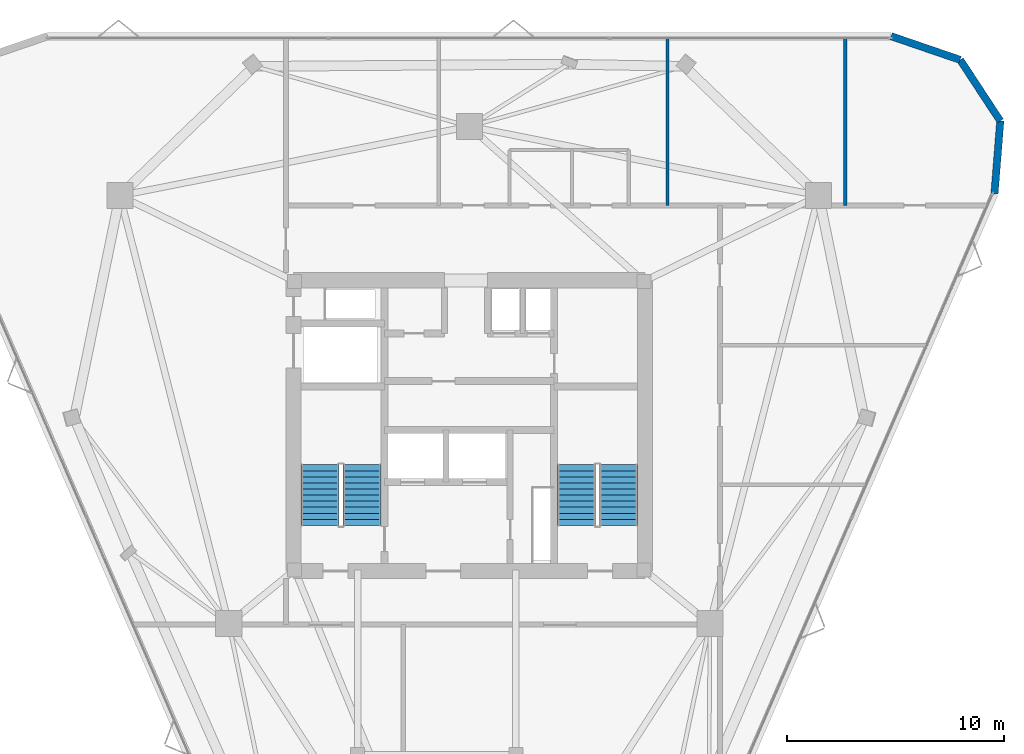
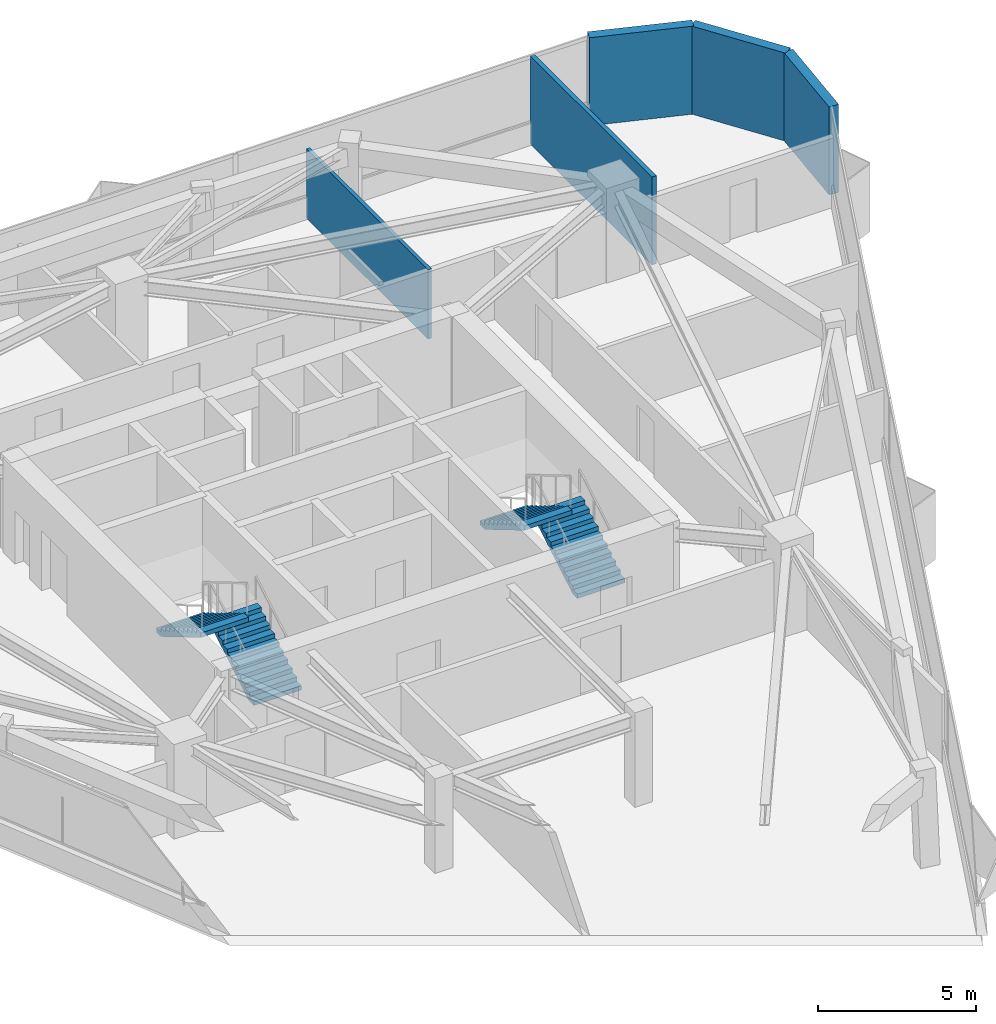
# One storey, part 9 of 10: 5 walls, 4 stair flights, 2 elements without a shape of their own.
"""IFC4 building model written with IfcOpenShell, lengths in metres."""

from ifc_helpers import new_model, si_unit, direction, frame, frame_2d, origin, place, context, subcontext, project, spatial, polyline, rectangle, outline, extrude, material, layer, layer_set, type_object, element, aggregate, save


model = new_model("IFC4")

# Units and contexts
model_context = context("Model", 3, precision=1e-05, world=origin(), true_north=direction((0.0, 1.0)))
body_context = subcontext(model_context, "Body", "Model", "MODEL_VIEW")
ifc_project = project(units=[si_unit("LENGTHUNIT", "METRE"), si_unit("AREAUNIT", "SQUARE_METRE"), si_unit("VOLUMEUNIT", "CUBIC_METRE"), si_unit("PLANEANGLEUNIT", "RADIAN"), si_unit("MASSUNIT", "GRAM", prefix="KILO")], contexts=[model_context])

# Site, building, storey
site_placement = place(None, origin())
site = spatial("IfcSite", under=ifc_project, at=site_placement, CompositionType="ELEMENT")
building_placement = place(site_placement, origin())
building = spatial("IfcBuilding", under=site, at=building_placement, Name="Talyreon Biosciences Tower", CompositionType="ELEMENT")
storey_placement = place(building_placement, frame((0.0, 0.0, 231.60009765625)))
storey = spatial("IfcBuildingStorey", under=building, at=storey_placement, Name="L61", CompositionType="ELEMENT", Elevation=231.60009765625)

# Walls
ifc_material_1 = material(Name="Gypsum acoustic stud partition", Category="gypsum")
ifc_layer_1 = layer(ifc_material_1, 0.159912109375)
ifc_layer_set_1 = layer_set([ifc_layer_1], Name="Gypsum acoustic stud partition")
wall_type_1 = type_object("IfcWallType", Name="LabSeparationPartition_160", PredefinedType="PARTITIONING", material=ifc_layer_set_1)
wall_1_placement = place(storey_placement, frame((83.333984375, 78.14990234375, 0.0), z_axis=(0.0, 0.0, 1.0), x_axis=(0.0, 1.0, 0.0)))
element("IfcWall", 1, at=wall_1_placement, inside=storey, type_object=wall_type_1, Name="L61 Interior Wall IW-L61-NDIV3", PredefinedType="PARTITIONING", context=body_context, shape_type="SweptSolid", body=[
    extrude(rectangle(XDim=7.716552734375, YDim=0.159912109375, at=frame_2d((3.8583984375, 0.0))), origin(), (0.0, 0.0, 1.0), 3.39990234375),
])
ifc_layer_2 = layer(ifc_material_1, 0.1298828125)
ifc_layer_set_2 = layer_set([ifc_layer_2], Name="Gypsum acoustic stud partition")
wall_type_2 = type_object("IfcWallType", Name="OfficeWriteupPartition_130", PredefinedType="PARTITIONING", material=ifc_layer_set_2)
wall_2_placement = place(storey_placement, frame((75.138916015625, 78.14990234375, 0.0), z_axis=(0.0, 0.0, 1.0), x_axis=(0.0, 1.0, 0.0)))
element("IfcWall", 2, at=wall_2_placement, inside=storey, type_object=wall_type_2, Name="L61 Interior Wall IW-L61-NDIV2", PredefinedType="PARTITIONING", context=body_context, shape_type="SweptSolid", body=[
    extrude(rectangle(XDim=7.716552734375, YDim=0.1298828125, at=frame_2d((3.8583984375, 0.0))), origin(), (0.0, 0.0, 1.0), 2.679931640625),
])
ifc_material_2 = material(Name="Precast concrete C45/55", Category="concrete")
ifc_layer_3 = layer(ifc_material_2, 0.340087890625)
ifc_layer_set_3 = layer_set([ifc_layer_3], Name="Precast concrete C45/55")
wall_type_3 = type_object("IfcWallType", Name="PrecastConcreteSpandrelWall_340", PredefinedType="STANDARD", material=ifc_layer_set_3)
wall_3_placement = place(storey_placement, frame((85.4345703125, 85.951416015625, 0.0), z_axis=(0.0, 0.0, 1.0), x_axis=(0.946036065973, -0.324061355115, 0.0)))
element("IfcWall", 3, at=wall_3_placement, inside=storey, type_object=wall_type_3, Name="L61 Rounded-Corner Concrete Pier 05", PredefinedType="STANDARD", context=body_context, shape_type="SweptSolid", body=[
    extrude(rectangle(XDim=3.37060546875, YDim=0.340087890625, at=frame_2d((1.685302734375, 0.0))), origin(), (0.0, 0.0, 1.0), 3.39990234375),
])
for number, where, z_axis, x_axis, name in (
    (4, (88.623291015625, 84.859130859375, 0.0), (0.0, 0.0, 1.0), (0.54858365387, -0.836095673177, 0.0), "L61 Rounded-Corner Concrete Pier 06"),
    (5, (90.47216796875, 82.041259765625, 0.0), (0.0, 0.0, 1.0), (-0.079316248105, -0.996849503579, 0.0), "L61 Rounded-Corner Concrete Pier 07"),
):
    element("IfcWall", number, at=place(storey_placement, frame(where, z_axis=z_axis, x_axis=x_axis)), inside=storey, type_object=wall_type_3, Name=name, PredefinedType="STANDARD", context=body_context, shape_type="SweptSolid", body=[
        extrude(rectangle(XDim=3.370361328125, YDim=0.340087890625, at=frame_2d((1.68505859375, 0.0))), origin(), (0.0, 0.0, 1.0), 3.39990234375),
    ])

# Stair, stair flights
ifc_material_3 = material(Name="Concrete C40/50", Category="concrete")
stair_type = type_object("IfcStairType", Name="DoglegEscapeStair_3650", PredefinedType="HALF_TURN_STAIR", material=ifc_material_3)
stair_1_placement = place(storey_placement, origin())
stair_1 = element("IfcStair", 6, at=stair_1_placement, inside=storey, type_object=stair_type, Name="L61 Core Escape Stair 1", PredefinedType="HALF_TURN_STAIR")
stair_flight_type = type_object("IfcStairFlightType", Name="PrecastStairFlight_3650", PredefinedType="STRAIGHT", material=ifc_material_3)
stair_flight_1_placement = place(storey_placement, frame((61.06005859375, 63.39990234375, 0.0), z_axis=(0.0, 0.0, 1.0), x_axis=(0.0, 1.0, 0.0)))
stair_flight_1 = element("IfcStairFlight", 7, at=stair_flight_1_placement, type_object=stair_flight_type, Name="ST-1 flight 1", NumberOfRisers=11, NumberOfTreads=10, PredefinedType="STRAIGHT", RiserHeight=0.165909091, TreadLength=0.28, context=body_context, shape_type="SweptSolid", body=[
    extrude(outline(polyline([(0.0, 0.0), (0.0, 0.166015625), (0.280029296875, 0.166015625), (0.280029296875, 0.331787109375), (0.56005859375, 0.331787109375), (0.56005859375, 0.497802734375), (0.840087890625, 0.497802734375), (0.840087890625, 0.66357421875), (1.1201171875, 0.66357421875), (1.1201171875, 0.82958984375), (1.39990234375, 0.82958984375), (1.39990234375, 0.995361328125), (1.679931640625, 0.995361328125), (1.679931640625, 1.161376953125), (1.9599609375, 1.161376953125), (1.9599609375, 1.327392578125), (2.239990234375, 1.327392578125), (2.239990234375, 1.4931640625), (2.52001953125, 1.4931640625), (2.52001953125, 1.6591796875), (2.800048828125, 1.6591796875), (2.800048828125, 1.824951171875), (2.800048828125, 1.48486328125), (0.2939453125, 0.0), (0.0, 0.0)])), frame((0.0, 0.8701171875, 0.0), z_axis=(0.0, -1.0, 0.0), x_axis=(1.0, 0.0, 0.0)), (0.0, 0.0, 1.0), 1.739990234375),
])
stair_flight_2_placement = place(storey_placement, frame((59.1201171875, 66.199951171875, 1.824951171875), z_axis=(0.0, 0.0, 1.0), x_axis=(0.0, -1.0, 0.0)))
stair_flight_2 = element("IfcStairFlight", 8, at=stair_flight_2_placement, type_object=stair_flight_type, Name="ST-1 flight 2", NumberOfRisers=11, NumberOfTreads=10, PredefinedType="STRAIGHT", RiserHeight=0.165909091, TreadLength=0.28, context=body_context, shape_type="SweptSolid", body=[
    extrude(outline(polyline([(0.0, 0.0), (0.0, 0.166015625), (0.280029296875, 0.166015625), (0.280029296875, 0.331787109375), (0.56005859375, 0.331787109375), (0.56005859375, 0.497802734375), (0.840087890625, 0.497802734375), (0.840087890625, 0.66357421875), (1.1201171875, 0.66357421875), (1.1201171875, 0.82958984375), (1.39990234375, 0.82958984375), (1.39990234375, 0.995361328125), (1.679931640625, 0.995361328125), (1.679931640625, 1.161376953125), (1.9599609375, 1.161376953125), (1.9599609375, 1.327392578125), (2.239990234375, 1.327392578125), (2.239990234375, 1.4931640625), (2.52001953125, 1.4931640625), (2.52001953125, 1.6591796875), (2.800048828125, 1.6591796875), (2.800048828125, 1.824951171875), (2.800048828125, 1.48486328125), (0.2939453125, 0.0), (0.0, 0.0)])), frame((0.0, 0.8701171875, 0.0), z_axis=(0.0, -1.0, 0.0), x_axis=(1.0, 0.0, 0.0)), (0.0, 0.0, 1.0), 1.739990234375),
])
aggregate(stair_1, [stair_flight_1, stair_flight_2])

stair_2_placement = place(storey_placement, origin())
stair_2 = element("IfcStair", 9, at=stair_2_placement, inside=storey, type_object=stair_type, Name="L61 Core Escape Stair 2", PredefinedType="HALF_TURN_STAIR")
stair_flight_3_placement = place(storey_placement, frame((72.8798828125, 63.39990234375, 0.0), z_axis=(0.0, 0.0, 1.0), x_axis=(0.0, 1.0, 0.0)))
stair_flight_3 = element("IfcStairFlight", 10, at=stair_flight_3_placement, type_object=stair_flight_type, Name="ST-2 flight 1", NumberOfRisers=11, NumberOfTreads=10, PredefinedType="STRAIGHT", RiserHeight=0.165909091, TreadLength=0.28, context=body_context, shape_type="SweptSolid", body=[
    extrude(outline(polyline([(0.0, 0.0), (0.0, 0.166015625), (0.280029296875, 0.166015625), (0.280029296875, 0.331787109375), (0.56005859375, 0.331787109375), (0.56005859375, 0.497802734375), (0.840087890625, 0.497802734375), (0.840087890625, 0.66357421875), (1.1201171875, 0.66357421875), (1.1201171875, 0.82958984375), (1.39990234375, 0.82958984375), (1.39990234375, 0.995361328125), (1.679931640625, 0.995361328125), (1.679931640625, 1.161376953125), (1.9599609375, 1.161376953125), (1.9599609375, 1.327392578125), (2.239990234375, 1.327392578125), (2.239990234375, 1.4931640625), (2.52001953125, 1.4931640625), (2.52001953125, 1.6591796875), (2.800048828125, 1.6591796875), (2.800048828125, 1.824951171875), (2.800048828125, 1.48486328125), (0.2939453125, 0.0), (0.0, 0.0)])), frame((0.0, 0.8701171875, 0.0), z_axis=(0.0, -1.0, 0.0), x_axis=(1.0, 0.0, 0.0)), (0.0, 0.0, 1.0), 1.739990234375),
])
stair_flight_4_placement = place(storey_placement, frame((70.93994140625, 66.199951171875, 1.824951171875), z_axis=(0.0, 0.0, 1.0), x_axis=(0.0, -1.0, 0.0)))
stair_flight_4 = element("IfcStairFlight", 11, at=stair_flight_4_placement, type_object=stair_flight_type, Name="ST-2 flight 2", NumberOfRisers=11, NumberOfTreads=10, PredefinedType="STRAIGHT", RiserHeight=0.165909091, TreadLength=0.28, context=body_context, shape_type="SweptSolid", body=[
    extrude(outline(polyline([(0.0, 0.0), (0.0, 0.166015625), (0.280029296875, 0.166015625), (0.280029296875, 0.331787109375), (0.56005859375, 0.331787109375), (0.56005859375, 0.497802734375), (0.840087890625, 0.497802734375), (0.840087890625, 0.66357421875), (1.1201171875, 0.66357421875), (1.1201171875, 0.82958984375), (1.39990234375, 0.82958984375), (1.39990234375, 0.995361328125), (1.679931640625, 0.995361328125), (1.679931640625, 1.161376953125), (1.9599609375, 1.161376953125), (1.9599609375, 1.327392578125), (2.239990234375, 1.327392578125), (2.239990234375, 1.4931640625), (2.52001953125, 1.4931640625), (2.52001953125, 1.6591796875), (2.800048828125, 1.6591796875), (2.800048828125, 1.824951171875), (2.800048828125, 1.48486328125), (0.2939453125, 0.0), (0.0, 0.0)])), frame((0.0, 0.8701171875, 0.0), z_axis=(0.0, -1.0, 0.0), x_axis=(1.0, 0.0, 0.0)), (0.0, 0.0, 1.0), 1.739990234375),
])
aggregate(stair_2, [stair_flight_3, stair_flight_4])

save(model, "model.ifc")
